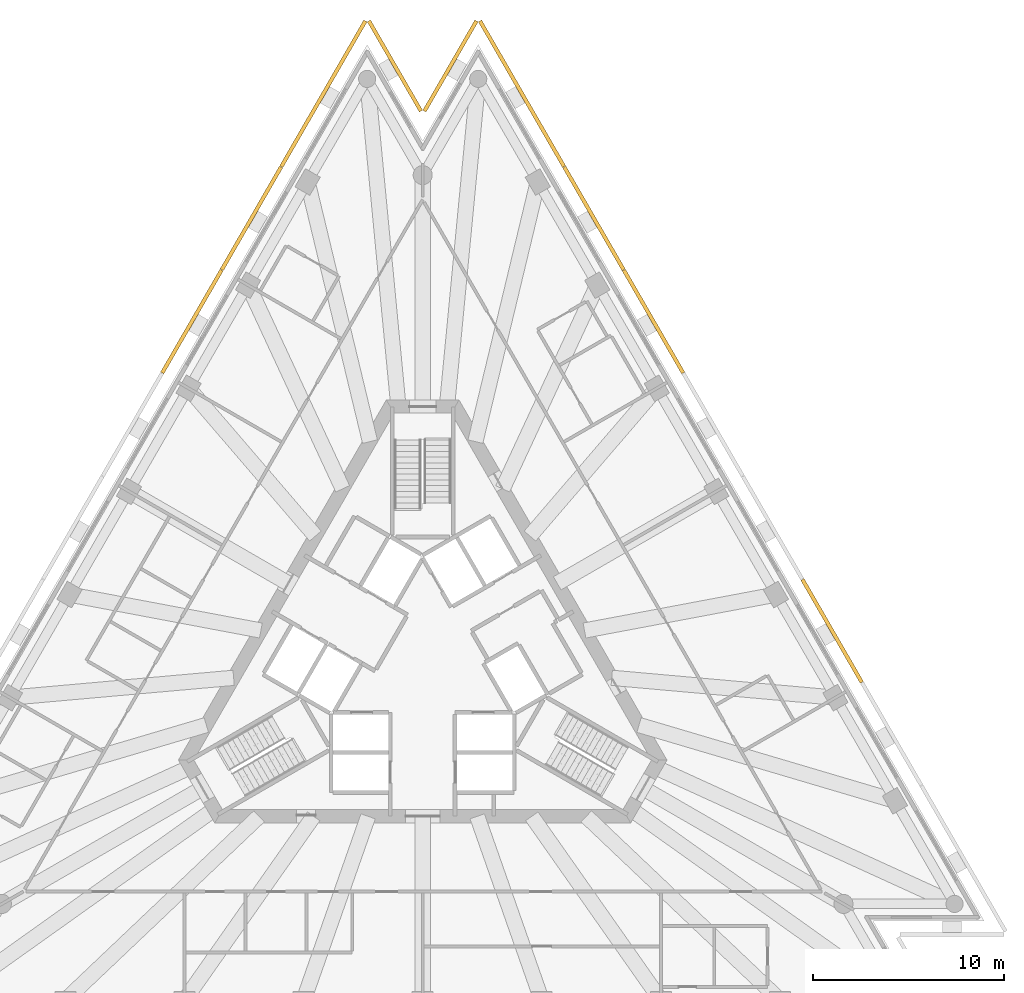
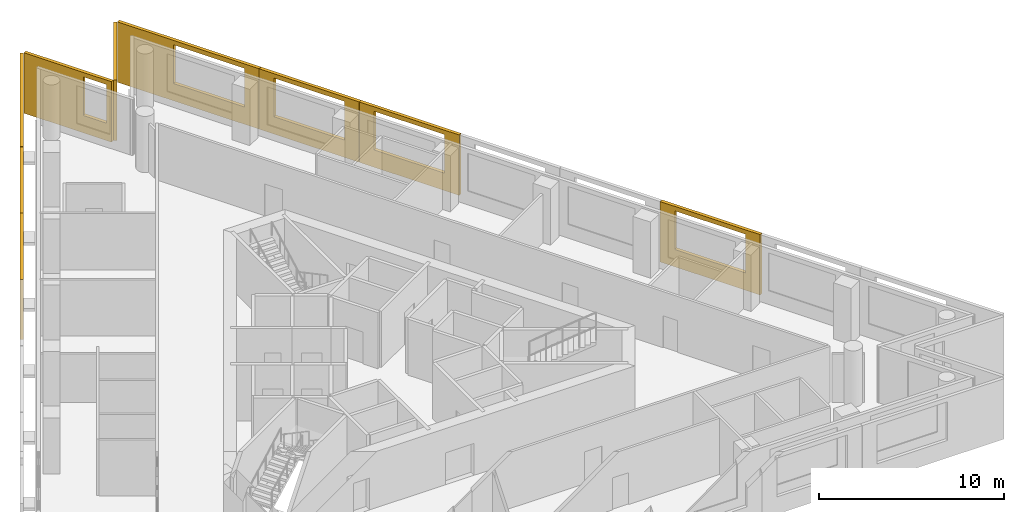
# One storey, part 10 of 10: 9 shading devices.
"""IFC4 building model written with IfcOpenShell, lengths in metres."""

from ifc_helpers import new_model, si_unit, direction, frame, origin, place, context, subcontext, project, spatial, polyline, outline, extrude, material, layer, layer_set, type_object, element, save


model = new_model("IFC4")

# Units and contexts
model_context = context("Model", 3, precision=1e-05, world=origin(), true_north=direction((0.0, 1.0)))
body_context = subcontext(model_context, "Body", "Model", "MODEL_VIEW")
ifc_project = project(units=[si_unit("LENGTHUNIT", "METRE"), si_unit("AREAUNIT", "SQUARE_METRE"), si_unit("VOLUMEUNIT", "CUBIC_METRE"), si_unit("PLANEANGLEUNIT", "RADIAN"), si_unit("MASSUNIT", "GRAM", prefix="KILO")], contexts=[model_context])

# Site, building, storey
site_placement = place(None, origin())
site = spatial("IfcSite", under=ifc_project, at=site_placement, CompositionType="ELEMENT")
building_placement = place(site_placement, origin())
building = spatial("IfcBuilding", under=site, at=building_placement, Name="Triada Interchange Tower", CompositionType="ELEMENT")
storey_placement = place(building_placement, frame((0.0, 0.0, 195.300048828125)))
storey = spatial("IfcBuildingStorey", under=building, at=storey_placement, Name="L45", CompositionType="ELEMENT", Elevation=195.300048828125)

# Shading devices
ifc_material = material(Name="Concrete C50/60 precast", Category="concrete")
ifc_layer_1 = layer(ifc_material, 0.02001953125, Name="Exposed aggregate face")
ifc_layer_2 = layer(ifc_material, 0.179931640625, Name="Precast concrete screen")
ifc_layer_set = layer_set([ifc_layer_1, ifc_layer_2], Name="Outer skin screen panel 3980")
shading_device_type = type_object("IfcShadingDeviceType", Name="Outer skin screen panel 3980", PredefinedType="SHUTTER", material=ifc_layer_set)
shading_device_1_placement = place(storey_placement, frame((-2.9189453125, 33.532958984375, -0.2900390625), z_axis=(0.0, 0.0, 1.0), x_axis=(-0.500030549092, -0.866007765539, 0.0)))
element("IfcShadingDevice", 1, at=shading_device_1_placement, inside=storey, type_object=shading_device_type, Name="Outer skin screen panel L45 01", PredefinedType="SHUTTER", context=body_context, shape_type="SweptSolid", body=[
    extrude(outline(polyline([(0.0, 0.0), (8.82568359375, 0.0), (8.82568359375, 3.97998046875), (0.0, 3.97998046875), (0.0, 0.0)]), holes=[polyline([(3.5126953125, 1.139892578125), (3.5126953125, 3.68994140625), (7.91259765625, 3.68994140625), (7.91259765625, 1.139892578125), (3.5126953125, 1.139892578125)])]), frame((0.0, 0.0, 0.0), z_axis=(0.0, -1.0, 0.0), x_axis=(1.0, 0.0, 0.0)), (0.0, 0.0, 1.0), 0.199951171875),
])
shading_device_2_placement = place(storey_placement, frame((-7.342041015625, 25.8720703125, -0.2900390625), z_axis=(0.0, 0.0, 1.0), x_axis=(-0.499971281829, -0.866041983593, 0.0)))
element("IfcShadingDevice", 2, at=shading_device_2_placement, inside=storey, type_object=shading_device_type, Name="Outer skin screen panel L45 02", PredefinedType="SHUTTER", context=body_context, shape_type="SweptSolid", body=[
    extrude(outline(polyline([(0.0, 0.0), (6.228271484375, 0.0), (6.228271484375, 3.97998046875), (0.0, 3.97998046875), (0.0, 0.0)]), holes=[polyline([(0.914306640625, 1.139892578125), (0.914306640625, 3.68994140625), (5.314208984375, 3.68994140625), (5.314208984375, 1.139892578125), (0.914306640625, 1.139892578125)])]), frame((0.0, 0.0, 0.0), z_axis=(0.0, -1.0, 0.0), x_axis=(1.0, 0.0, 0.0)), (0.0, 0.0, 1.0), 0.199951171875),
])
shading_device_3_placement = place(storey_placement, frame((-10.466064453125, 20.4609375, -0.2900390625), z_axis=(0.0, 0.0, 1.0), x_axis=(-0.499971281829, -0.866041983593, 0.0)))
element("IfcShadingDevice", 3, at=shading_device_3_placement, inside=storey, type_object=shading_device_type, Name="Outer skin screen panel L45 03", PredefinedType="SHUTTER", context=body_context, shape_type="SweptSolid", body=[
    extrude(outline(polyline([(0.0, 0.0), (6.228271484375, 0.0), (6.228271484375, 3.97998046875), (0.0, 3.97998046875), (0.0, 0.0)]), holes=[polyline([(0.9140625, 1.139892578125), (0.9140625, 3.68994140625), (5.31396484375, 3.68994140625), (5.31396484375, 1.139892578125), (0.9140625, 1.139892578125)])]), frame((0.0, 0.0, 0.0), z_axis=(0.0, -1.0, 0.0), x_axis=(1.0, 0.0, 0.0)), (0.0, 0.0, 1.0), 0.199951171875),
])
shading_device_4_placement = place(storey_placement, frame((22.952880859375, -1.166015625, -0.2900390625), z_axis=(0.0, 0.0, 1.0), x_axis=(-0.499941881293, 0.866058956036, 0.0)))
element("IfcShadingDevice", 4, at=shading_device_4_placement, inside=storey, type_object=shading_device_type, Name="Outer skin screen panel L45 23", PredefinedType="SHUTTER", context=body_context, shape_type="SweptSolid", body=[
    extrude(outline(polyline([(0.0, 0.0), (6.228271484375, 0.0), (6.228271484375, 3.97998046875), (0.0, 3.97998046875), (0.0, 0.0)]), holes=[polyline([(0.913818359375, 1.139892578125), (0.913818359375, 3.68994140625), (5.313720703125, 3.68994140625), (5.313720703125, 1.139892578125), (0.913818359375, 1.139892578125)])]), frame((0.0, 0.0, 0.0), z_axis=(0.0, -1.0, 0.0), x_axis=(1.0, 0.0, 0.0)), (0.0, 0.0, 1.0), 0.199951171875),
])
shading_device_5_placement = place(storey_placement, frame((13.580078125, 15.06689453125, -0.2900390625), z_axis=(0.0, 0.0, 1.0), x_axis=(-0.499971281829, 0.866041983593, 0.0)))
element("IfcShadingDevice", 5, at=shading_device_5_placement, inside=storey, type_object=shading_device_type, Name="Outer skin screen panel L45 26", PredefinedType="SHUTTER", context=body_context, shape_type="SweptSolid", body=[
    extrude(outline(polyline([(0.0, 0.0), (6.228271484375, 0.0), (6.228271484375, 3.97998046875), (0.0, 3.97998046875), (0.0, 0.0)]), holes=[polyline([(0.9140625, 1.139892578125), (0.9140625, 3.68994140625), (5.314208984375, 3.68994140625), (5.314208984375, 1.139892578125), (0.9140625, 1.139892578125)])]), frame((0.0, 0.0, 0.0), z_axis=(0.0, -1.0, 0.0), x_axis=(1.0, 0.0, 0.0)), (0.0, 0.0, 1.0), 0.199951171875),
])
shading_device_6_placement = place(storey_placement, frame((10.4560546875, 20.47802734375, -0.2900390625), z_axis=(0.0, 0.0, 1.0), x_axis=(-0.499971281829, 0.866041983593, 0.0)))
element("IfcShadingDevice", 6, at=shading_device_6_placement, inside=storey, type_object=shading_device_type, Name="Outer skin screen panel L45 27", PredefinedType="SHUTTER", context=body_context, shape_type="SweptSolid", body=[
    extrude(outline(polyline([(0.0, 0.0), (6.228271484375, 0.0), (6.228271484375, 3.97998046875), (0.0, 3.97998046875), (0.0, 0.0)]), holes=[polyline([(0.913818359375, 1.139892578125), (0.913818359375, 3.68994140625), (5.313720703125, 3.68994140625), (5.313720703125, 1.139892578125), (0.913818359375, 1.139892578125)])]), frame((0.0, 0.0, 0.0), z_axis=(0.0, -1.0, 0.0), x_axis=(1.0, 0.0, 0.0)), (0.0, 0.0, 1.0), 0.199951171875),
])
shading_device_7_placement = place(storey_placement, frame((7.33203125, 25.889892578125, -0.2900390625), z_axis=(0.0, 0.0, 1.0), x_axis=(-0.500030549092, 0.866007765539, 0.0)))
element("IfcShadingDevice", 7, at=shading_device_7_placement, inside=storey, type_object=shading_device_type, Name="Outer skin screen panel L45 28", PredefinedType="SHUTTER", context=body_context, shape_type="SweptSolid", body=[
    extrude(outline(polyline([(0.0, 0.0), (8.82568359375, 0.0), (8.82568359375, 3.97998046875), (0.0, 3.97998046875), (0.0, 0.0)]), holes=[polyline([(0.91357421875, 1.139892578125), (0.91357421875, 3.68994140625), (5.313720703125, 3.68994140625), (5.313720703125, 1.139892578125), (0.91357421875, 1.139892578125)])]), frame((0.0, 0.0, 0.0), z_axis=(0.0, -1.0, 0.0), x_axis=(1.0, 0.0, 0.0)), (0.0, 0.0, 1.0), 0.199951171875),
])
shading_device_8_placement = place(storey_placement, frame((2.908935546875, 33.532958984375, -0.2900390625), z_axis=(0.0, 0.0, 1.0), x_axis=(-0.500091376525, -0.865972641095, 0.0)))
element("IfcShadingDevice", 8, at=shading_device_8_placement, inside=storey, type_object=shading_device_type, Name="Outer skin screen panel L45 29", PredefinedType="SHUTTER", context=body_context, shape_type="SweptSolid", body=[
    extrude(outline(polyline([(0.0, 0.0), (5.4609375, 0.0), (5.4609375, 3.97998046875), (0.0, 3.97998046875), (0.0, 0.0)]), holes=[polyline([(3.175537109375, 1.139892578125), (3.175537109375, 3.68994140625), (5.161376953125, 3.68994140625), (5.161376953125, 1.139892578125), (3.175537109375, 1.139892578125)])]), frame((0.0, 0.0, 0.0), z_axis=(0.0, -1.0, 0.0), x_axis=(1.0, 0.0, 0.0)), (0.0, 0.0, 1.0), 0.199951171875),
])
shading_device_9_placement = place(storey_placement, frame((-0.177978515625, 28.803955078125, -0.2900390625), z_axis=(0.0, 0.0, 1.0), x_axis=(-0.500091376525, 0.865972641095, 0.0)))
element("IfcShadingDevice", 9, at=shading_device_9_placement, inside=storey, type_object=shading_device_type, Name="Outer skin screen panel L45 30", PredefinedType="SHUTTER", context=body_context, shape_type="SweptSolid", body=[
    extrude(outline(polyline([(0.0, 0.0), (5.4609375, 0.0), (5.4609375, 3.97998046875), (0.0, 3.97998046875), (0.0, 0.0)]), holes=[polyline([(0.300048828125, 1.139892578125), (0.300048828125, 3.68994140625), (1.7578125, 3.68994140625), (1.7578125, 1.139892578125), (0.300048828125, 1.139892578125)])]), frame((0.0, 0.0, 0.0), z_axis=(0.0, -1.0, 0.0), x_axis=(1.0, 0.0, 0.0)), (0.0, 0.0, 1.0), 0.199951171875),
])

save(model, "model.ifc")
